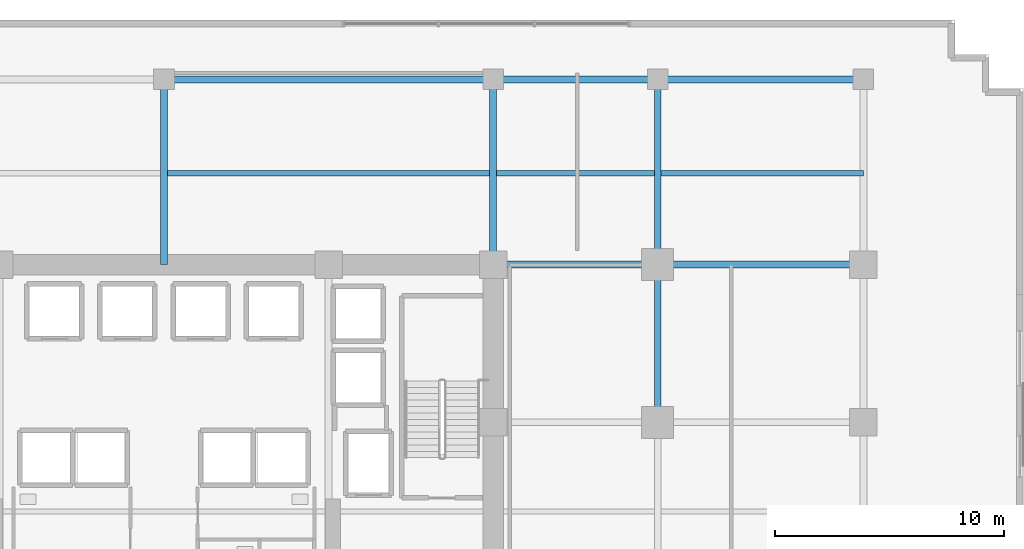
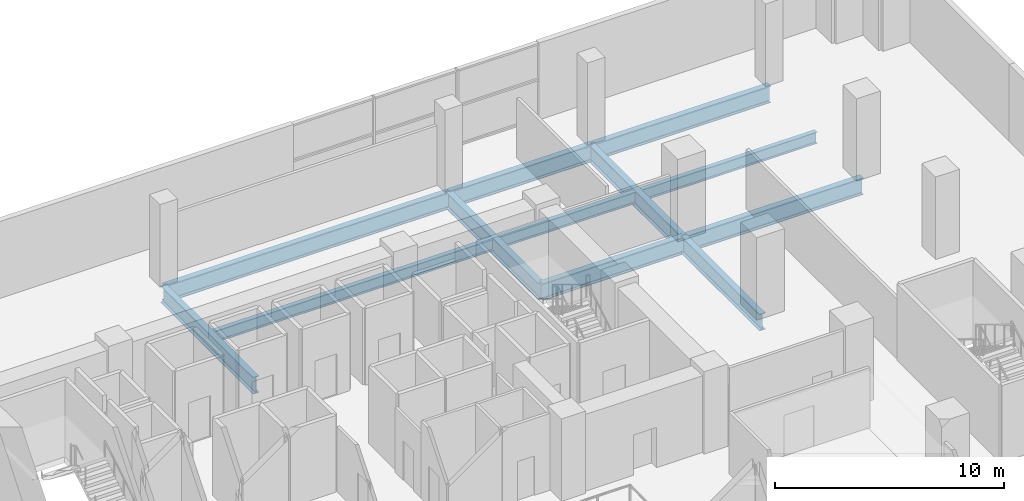
# One storey, part 9 of 22: 12 beams.
"""IFC4 building model written with IfcOpenShell, lengths in metres."""

from ifc_helpers import new_model, si_unit, direction, frame, origin, origin_2d, place, context, subcontext, project, spatial, i_section, extrude, material, material_profile, profile_set, type_object, element, save


model = new_model("IFC4")

# Units and contexts
model_context = context("Model", 3, precision=1e-05, world=origin(), true_north=direction((0.0, 1.0)))
body_context = subcontext(model_context, "Body", "Model", "MODEL_VIEW")
ifc_project = project(units=[si_unit("LENGTHUNIT", "METRE"), si_unit("AREAUNIT", "SQUARE_METRE"), si_unit("VOLUMEUNIT", "CUBIC_METRE"), si_unit("PLANEANGLEUNIT", "RADIAN"), si_unit("MASSUNIT", "GRAM", prefix="KILO")], contexts=[model_context])

# Site, building, storey
site_placement = place(None, origin())
site = spatial("IfcSite", under=ifc_project, at=site_placement, CompositionType="ELEMENT")
building_placement = place(site_placement, origin())
building = spatial("IfcBuilding", under=site, at=building_placement, Name="Zarnakvel Exchange Tower", CompositionType="ELEMENT")
storey_placement = place(building_placement, frame((0.0, 0.0, 9.39990234375)))
storey = spatial("IfcBuildingStorey", under=building, at=storey_placement, Name="L02", CompositionType="ELEMENT", Elevation=9.39990234375)

# Beams
ifc_material = material(Name="Steel S355", Category="steel")
ifc_material_profile_1 = material_profile(ifc_material, i_section(OverallWidth=0.230224609375, OverallDepth=0.6171875, WebThickness=0.01318359375, FlangeThickness=0.022216796875, FilletRadius=0.0126953125, at=origin_2d()))
ifc_profile_set_1 = profile_set([ifc_material_profile_1], Name="Steel S355")
beam_type_1 = type_object("IfcBeamType", Name="B-02", PredefinedType="JOIST", material=ifc_profile_set_1)
beam_1_placement = place(storey_placement, frame((0.14990234375, 17.5, -0.6083984375), z_axis=(1.0, 0.0, 0.0), x_axis=(0.0, 1.0, 0.0)))
element("IfcBeam", 1, at=beam_1_placement, inside=storey, type_object=beam_type_1, Name="L02 North Bay Secondary Floor Joist", PredefinedType="JOIST", context=body_context, shape_type="SweptSolid", body=[
    extrude(i_section(OverallWidth=0.230224609375, OverallDepth=0.6171875, WebThickness=0.01318359375, FlangeThickness=0.022216796875, FilletRadius=0.0126953125, at=origin_2d()), origin(), (0.0, 0.0, 1.0), 14.10009765625),
])
beam_2_placement = place(storey_placement, frame((14.550048828125, 17.5, -0.6083984375), z_axis=(1.0, 0.0, 0.0), x_axis=(0.0, 1.0, 0.0)))
element("IfcBeam", 2, at=beam_2_placement, inside=storey, type_object=beam_type_1, Name="L02 North Bay Secondary Floor Joist", PredefinedType="JOIST", context=body_context, shape_type="SweptSolid", body=[
    extrude(i_section(OverallWidth=0.230224609375, OverallDepth=0.6171875, WebThickness=0.01318359375, FlangeThickness=0.022216796875, FilletRadius=0.0126953125, at=origin_2d()), origin(), (0.0, 0.0, 1.0), 6.89990234375),
])
beam_3_placement = place(storey_placement, frame((21.75, 17.5, -0.6083984375), z_axis=(1.0, 0.0, 0.0), x_axis=(0.0, 1.0, 0.0)))
element("IfcBeam", 3, at=beam_3_placement, inside=storey, type_object=beam_type_1, Name="L02 North Bay Secondary Floor Joist", PredefinedType="JOIST", context=body_context, shape_type="SweptSolid", body=[
    extrude(i_section(OverallWidth=0.230224609375, OverallDepth=0.6171875, WebThickness=0.01318359375, FlangeThickness=0.022216796875, FilletRadius=0.0126953125, at=origin_2d()), origin(), (0.0, 0.0, 1.0), 8.85009765625),
])
ifc_material_profile_2 = material_profile(ifc_material, i_section(OverallWidth=0.300048828125, OverallDepth=0.89990234375, WebThickness=0.0185546875, FlangeThickness=0.034912109375, FilletRadius=0.030029296875, at=origin_2d()))
ifc_profile_set_2 = profile_set([ifc_material_profile_2], Name="Steel S355")
beam_type_2 = type_object("IfcBeamType", Name="G-01", PredefinedType="BEAM", material=ifc_profile_set_2)
beam_4_placement = place(storey_placement, frame((14.39990234375, 13.5, -0.75), z_axis=(1.0, 0.0, 0.0), x_axis=(0.0, 1.0, 0.0)))
element("IfcBeam", 4, at=beam_4_placement, inside=storey, type_object=beam_type_2, Name="L02 Primary E-W Girder Y=+13.5", PredefinedType="BEAM", context=body_context, shape_type="SweptSolid", body=[
    extrude(i_section(OverallWidth=0.300048828125, OverallDepth=0.89990234375, WebThickness=0.0185546875, FlangeThickness=0.034912109375, FilletRadius=0.030029296875, at=origin_2d()), origin(), (0.0, 0.0, 1.0), 7.2001953125),
])
beam_5_placement = place(storey_placement, frame((21.60009765625, 13.5, -0.75), z_axis=(1.0, 0.0, 0.0), x_axis=(0.0, 1.0, 0.0)))
element("IfcBeam", 5, at=beam_5_placement, inside=storey, type_object=beam_type_2, Name="L02 Primary E-W Girder Y=+13.5", PredefinedType="BEAM", context=body_context, shape_type="SweptSolid", body=[
    extrude(i_section(OverallWidth=0.300048828125, OverallDepth=0.89990234375, WebThickness=0.0185546875, FlangeThickness=0.034912109375, FilletRadius=0.030029296875, at=origin_2d()), origin(), (0.0, 0.0, 1.0), 9.0),
])
beam_6_placement = place(storey_placement, frame((0.0, 21.60009765625, -0.75), z_axis=(1.0, 0.0, 0.0), x_axis=(0.0, 1.0, 0.0)))
element("IfcBeam", 6, at=beam_6_placement, inside=storey, type_object=beam_type_2, Name="L02 Primary E-W Girder Y=+21.6", PredefinedType="BEAM", context=body_context, shape_type="SweptSolid", body=[
    extrude(i_section(OverallWidth=0.300048828125, OverallDepth=0.89990234375, WebThickness=0.0185546875, FlangeThickness=0.034912109375, FilletRadius=0.030029296875, at=origin_2d()), origin(), (0.0, 0.0, 1.0), 14.39990234375),
])
beam_7_placement = place(storey_placement, frame((14.39990234375, 21.60009765625, -0.75), z_axis=(1.0, 0.0, 0.0), x_axis=(0.0, 1.0, 0.0)))
element("IfcBeam", 7, at=beam_7_placement, inside=storey, type_object=beam_type_2, Name="L02 Primary E-W Girder Y=+21.6", PredefinedType="BEAM", context=body_context, shape_type="SweptSolid", body=[
    extrude(i_section(OverallWidth=0.300048828125, OverallDepth=0.89990234375, WebThickness=0.0185546875, FlangeThickness=0.034912109375, FilletRadius=0.030029296875, at=origin_2d()), origin(), (0.0, 0.0, 1.0), 7.2001953125),
])
beam_8_placement = place(storey_placement, frame((21.60009765625, 21.60009765625, -0.75), z_axis=(1.0, 0.0, 0.0), x_axis=(0.0, 1.0, 0.0)))
element("IfcBeam", 8, at=beam_8_placement, inside=storey, type_object=beam_type_2, Name="L02 Primary E-W Girder Y=+21.6", PredefinedType="BEAM", context=body_context, shape_type="SweptSolid", body=[
    extrude(i_section(OverallWidth=0.300048828125, OverallDepth=0.89990234375, WebThickness=0.0185546875, FlangeThickness=0.034912109375, FilletRadius=0.030029296875, at=origin_2d()), origin(), (0.0, 0.0, 1.0), 9.0),
])
for number, where, z_axis, x_axis, name in (
    (9, (0.0, 13.5, -0.75), (0.0, 1.0, 0.0), (-1.0, 0.0, 0.0), "L02 Primary N-S Girder X=+0.0 North"),
    (10, (14.39990234375, 13.5, -0.75), (0.0, 1.0, 0.0), (-1.0, 0.0, 0.0), "L02 Primary N-S Girder X=+14.4"),
):
    element("IfcBeam", number, at=place(storey_placement, frame(where, z_axis=z_axis, x_axis=x_axis)), inside=storey, type_object=beam_type_2, Name=name, PredefinedType="BEAM", context=body_context, shape_type="SweptSolid", body=[
        extrude(i_section(OverallWidth=0.300048828125, OverallDepth=0.89990234375, WebThickness=0.0185546875, FlangeThickness=0.034912109375, FilletRadius=0.030029296875, at=origin_2d()), origin(), (0.0, 0.0, 1.0), 8.10009765625),
    ])
beam_9_placement = place(storey_placement, frame((21.60009765625, 6.60009765625, -0.75), z_axis=(0.0, 1.0, 0.0), x_axis=(-1.0, 0.0, 0.0)))
element("IfcBeam", 11, at=beam_9_placement, inside=storey, type_object=beam_type_2, Name="L02 Primary N-S Girder X=+21.6", PredefinedType="BEAM", context=body_context, shape_type="SweptSolid", body=[
    extrude(i_section(OverallWidth=0.300048828125, OverallDepth=0.89990234375, WebThickness=0.0185546875, FlangeThickness=0.034912109375, FilletRadius=0.030029296875, at=origin_2d()), origin(), (0.0, 0.0, 1.0), 6.89990234375),
])
beam_10_placement = place(storey_placement, frame((21.60009765625, 13.5, -0.75), z_axis=(0.0, 1.0, 0.0), x_axis=(-1.0, 0.0, 0.0)))
element("IfcBeam", 12, at=beam_10_placement, inside=storey, type_object=beam_type_2, Name="L02 Primary N-S Girder X=+21.6", PredefinedType="BEAM", context=body_context, shape_type="SweptSolid", body=[
    extrude(i_section(OverallWidth=0.300048828125, OverallDepth=0.89990234375, WebThickness=0.0185546875, FlangeThickness=0.034912109375, FilletRadius=0.030029296875, at=origin_2d()), origin(), (0.0, 0.0, 1.0), 8.10009765625),
])

save(model, "model.ifc")
